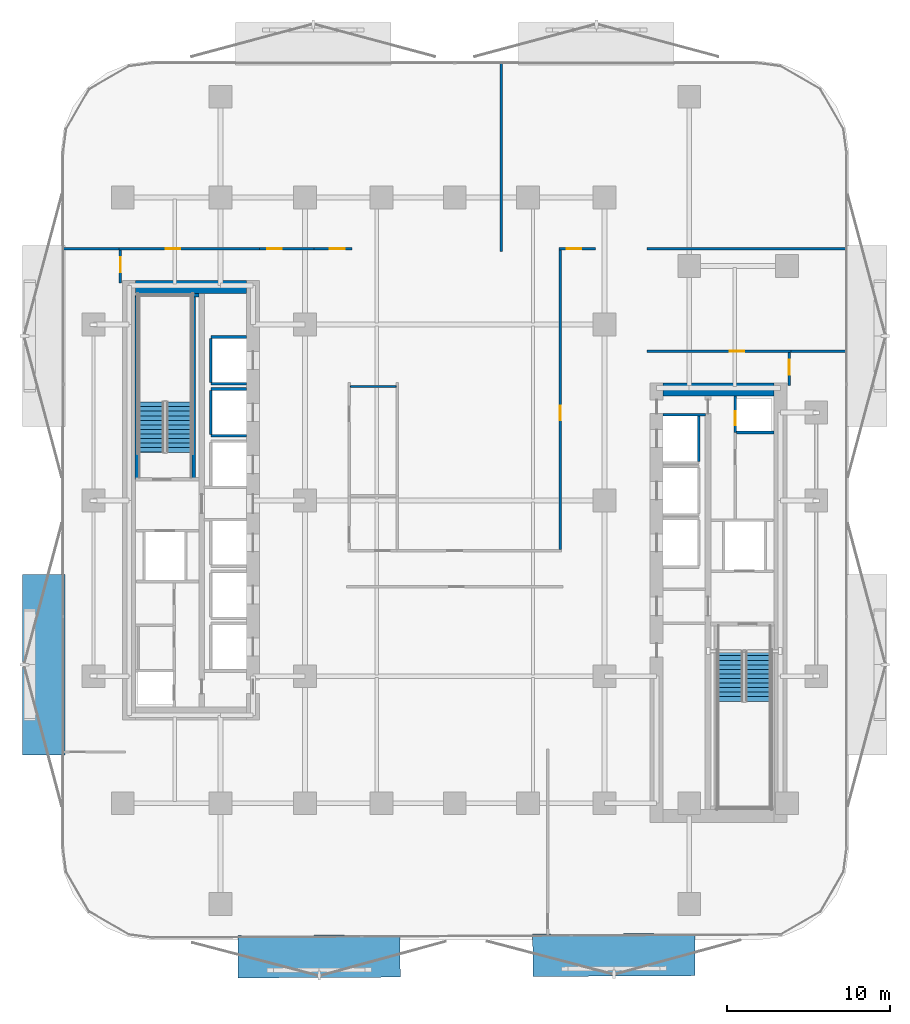
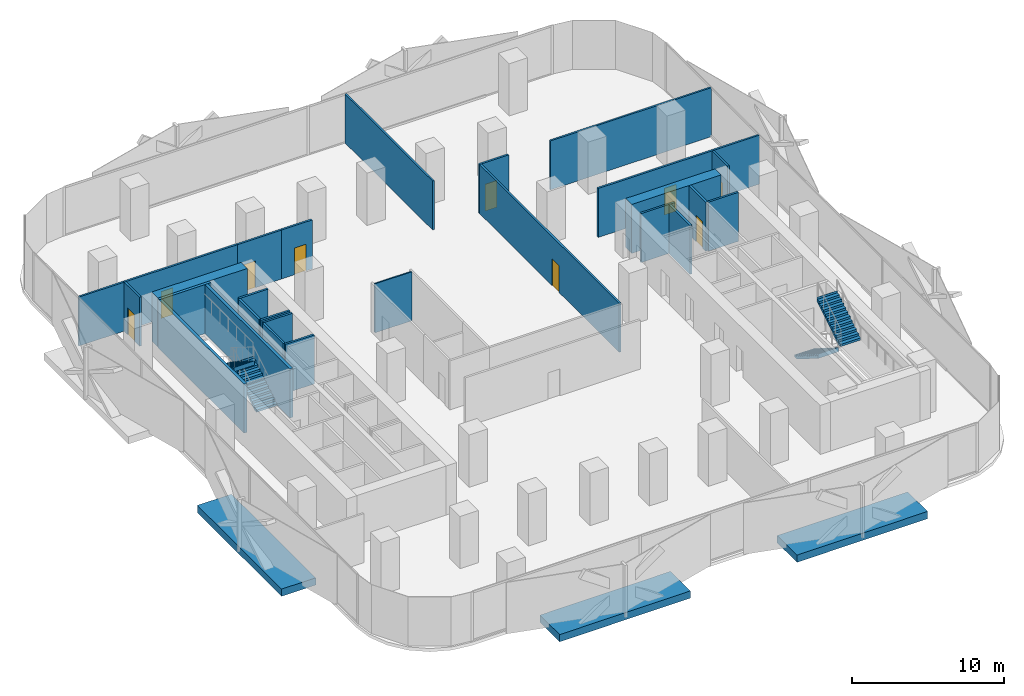
# One storey, part 5 of 15: 28 walls, 9 doors, 4 stair flights, 3 discrete accessories, 9 openings, 2 elements without a shape of their own.
"""IFC4 building model written with IfcOpenShell, lengths in metres."""

from ifc_helpers import new_model, si_unit, direction, frame, frame_2d, origin, origin_2d, place, context, subcontext, project, spatial, polyline, rectangle, outline, extrude, material, layer, layer_set, type_object, element, fill, aggregate, save


model = new_model("IFC4")

# Units and contexts
model_context = context("Model", 3, precision=1e-05, world=origin(), true_north=direction((0.0, 1.0)))
body_context = subcontext(model_context, "Body", "Model", "MODEL_VIEW")
ifc_project = project(units=[si_unit("LENGTHUNIT", "METRE"), si_unit("AREAUNIT", "SQUARE_METRE"), si_unit("VOLUMEUNIT", "CUBIC_METRE"), si_unit("PLANEANGLEUNIT", "RADIAN"), si_unit("MASSUNIT", "GRAM", prefix="KILO")], contexts=[model_context])

# Site, building, storey
site_placement = place(None, origin())
site = spatial("IfcSite", under=ifc_project, at=site_placement, CompositionType="ELEMENT")
building_placement = place(site_placement, origin())
building = spatial("IfcBuilding", under=site, at=building_placement, Name="Khairoan Windgate Tower", CompositionType="ELEMENT")
storey_placement = place(building_placement, frame((0.0, 0.0, 30.199951171875)))
storey = spatial("IfcBuildingStorey", under=building, at=storey_placement, Name="L07", CompositionType="ELEMENT", Elevation=30.199951171875)

# Walls
ifc_material_1 = material(Name="Moisture-Resistant Gypsum Partition", Category="gypsum")
ifc_layer_1 = layer(ifc_material_1, 0.10009765625, Name="Moisture-Resistant Gypsum Partition")
ifc_layer_set_1 = layer_set([ifc_layer_1], Name="Moisture-Resistant Gypsum Partition")
wall_type_1 = type_object("IfcWallType", Name="Bathroom Wet-Area Partition Wall", PredefinedType="PARTITIONING", material=ifc_layer_set_1)
wall_1_placement = place(storey_placement, frame((-6.409912109375, 7.0, 0.0), z_axis=(0.0, 0.0, 1.0), x_axis=(1.0, 0.0, 0.0)))
element("IfcWall", 1, at=wall_1_placement, inside=storey, type_object=wall_type_1, Name="L07 Wet Room Side Wall 032", PredefinedType="PARTITIONING", context=body_context, shape_type="SweptSolid", body=[
    extrude(rectangle(XDim=2.7998046875, YDim=0.10009765625, at=frame_2d((1.39990234375, 0.0))), origin(), (0.0, 0.0, 1.0), 3.93994140625),
])
ifc_material_2 = material(Name="Concrete C40/50", Category="concrete")
ifc_layer_2 = layer(ifc_material_2, 0.159912109375, Name="Concrete C40/50")
ifc_layer_set_2 = layer_set([ifc_layer_2], Name="Concrete C40/50")
wall_type_2 = type_object("IfcWallType", Name="Core and Hoistway Enclosure Wall", PredefinedType="STANDARD", material=ifc_layer_set_2)
for number, where, z_axis, x_axis, name in (
    (2, (-14.989990234375, 7.159912109375, 0.0), (0.0, 0.0, 1.0), (1.0, 0.0, 0.0), "L07 Lift PL1 Hoistway Divider S"),
    (3, (-14.989990234375, 10.0400390625, 0.0), (0.0, 0.0, 1.0), (1.0, 0.0, 0.0), "L07 Lift PL1 Hoistway Divider N"),
):
    element("IfcWall", number, at=place(storey_placement, frame(where, z_axis=z_axis, x_axis=x_axis)), inside=storey, type_object=wall_type_2, Name=name, PredefinedType="STANDARD", context=body_context, shape_type="SweptSolid", body=[
        extrude(rectangle(XDim=2.18994140625, YDim=0.159912109375, at=frame_2d((1.094970703125, 0.0))), origin(), (0.0, 0.0, 1.0), 3.93994140625),
    ])
wall_2_placement = place(storey_placement, frame((-14.989990234375, 7.25, 0.0), z_axis=(0.0, 0.0, 1.0), x_axis=(0.0, 1.0, 0.0)))
element("IfcWall", 4, at=wall_2_placement, inside=storey, type_object=wall_type_2, Name="L07 Lift PL1 Hoistway Back Wall", PredefinedType="STANDARD", context=body_context, shape_type="SweptSolid", body=[
    extrude(rectangle(XDim=2.699951171875, YDim=0.159912109375, at=frame_2d((1.35009765625, 0.0))), origin(), (0.0, 0.0, 1.0), 3.93994140625),
])
for number, where, z_axis, x_axis, name in (
    (5, (-14.989990234375, 3.9599609375, 0.0), (0.0, 0.0, 1.0), (1.0, 0.0, 0.0), "L07 Lift PL2 Hoistway Divider S"),
    (6, (-14.989990234375, 6.840087890625, 0.0), (0.0, 0.0, 1.0), (1.0, 0.0, 0.0), "L07 Lift PL2 Hoistway Divider N"),
):
    element("IfcWall", number, at=place(storey_placement, frame(where, z_axis=z_axis, x_axis=x_axis)), inside=storey, type_object=wall_type_2, Name=name, PredefinedType="STANDARD", context=body_context, shape_type="SweptSolid", body=[
        extrude(rectangle(XDim=2.18994140625, YDim=0.159912109375, at=frame_2d((1.094970703125, 0.0))), origin(), (0.0, 0.0, 1.0), 3.93994140625),
    ])
wall_3_placement = place(storey_placement, frame((-14.989990234375, 4.050048828125, 0.0), z_axis=(0.0, 0.0, 1.0), x_axis=(0.0, 1.0, 0.0)))
element("IfcWall", 7, at=wall_3_placement, inside=storey, type_object=wall_type_2, Name="L07 Lift PL2 Hoistway Back Wall", PredefinedType="STANDARD", context=body_context, shape_type="SweptSolid", body=[
    extrude(rectangle(XDim=2.699951171875, YDim=0.159912109375, at=frame_2d((1.35009765625, 0.0))), origin(), (0.0, 0.0, 1.0), 3.93994140625),
])
wall_4_placement = place(storey_placement, frame((14.989990234375, 2.39990234375, 0.0), z_axis=(0.0, 0.0, 1.0), x_axis=(0.0, 1.0, 0.0)))
element("IfcWall", 8, at=wall_4_placement, inside=storey, type_object=wall_type_2, Name="L07 Lift PL7 Hoistway Back Wall", PredefinedType="STANDARD", context=body_context, shape_type="SweptSolid", body=[
    extrude(rectangle(XDim=2.800048828125, YDim=0.159912109375, at=frame_2d((1.39990234375, 0.0))), origin(), (0.0, 0.0, 1.0), 3.93994140625),
])
wall_5_placement = place(storey_placement, frame((12.800048828125, 5.25, 0.0), z_axis=(0.0, 0.0, 1.0), x_axis=(1.0, 0.0, 0.0)))
element("IfcWall", 9, at=wall_5_placement, inside=storey, type_object=wall_type_2, Name="L07 Core Shaft Wall SW-ESV-L07", PredefinedType="STANDARD", context=body_context, shape_type="SweptSolid", body=[
    extrude(rectangle(XDim=2.599853515625, YDim=0.159912109375, at=frame_2d((1.2998046875, 0.0))), origin(), (0.0, 0.0, 1.0), 3.93994140625),
])
ifc_material_3 = material(Name="Acoustic Fire-Rated Gypsum Partition", Category="gypsum")
ifc_layer_3 = layer(ifc_material_3, 0.139892578125, Name="Acoustic Fire-Rated Gypsum Partition")
ifc_layer_set_3 = layer_set([ifc_layer_3], Name="Acoustic Fire-Rated Gypsum Partition")
wall_type_3 = type_object("IfcWallType", Name="Inter-Tenancy Compartment Wall", PredefinedType="PARTITIONING", material=ifc_layer_set_3)
for number, where, z_axis, x_axis, name in (
    (10, (-24.054931640625, 15.4599609375, 0.0), (0.0, 0.0, 1.0), (1.0, 0.0, 0.0), "L07 Interior Partition 022"),
    (11, (20.639892578125, 9.159912109375, 0.0), (0.0, 0.0, 1.0), (1.0, 0.0, 0.0), "L07 Interior Partition 024"),
):
    element("IfcWall", number, at=place(storey_placement, frame(where, z_axis=z_axis, x_axis=x_axis)), inside=storey, type_object=wall_type_3, Name=name, PredefinedType="PARTITIONING", context=body_context, shape_type="SweptSolid", body=[
        extrude(rectangle(XDim=3.4150390625, YDim=0.139892578125, at=frame_2d((1.70751953125, 0.0))), origin(), (0.0, 0.0, 1.0), 3.93994140625),
    ])
wall_6_placement = place(storey_placement, frame((11.81005859375, 15.4599609375, 0.0), z_axis=(0.0, 0.0, 1.0), x_axis=(1.0, 0.0, 0.0)))
element("IfcWall", 12, at=wall_6_placement, inside=storey, type_object=wall_type_3, Name="L07 Interior Partition 025", PredefinedType="PARTITIONING", context=body_context, shape_type="SweptSolid", body=[
    extrude(rectangle(XDim=12.244873046875, YDim=0.139892578125, at=frame_2d((6.12255859375, 0.0))), origin(), (0.0, 0.0, 1.0), 3.93994140625),
])
wall_7_placement = place(storey_placement, frame((2.85595703125, 15.280029296875, 0.0), z_axis=(0.0, 0.0, 1.0), x_axis=(0.0, 1.0, 0.0)))
element("IfcWall", 13, at=wall_7_placement, inside=storey, type_object=wall_type_3, Name="L07 Interior Partition 026", PredefinedType="PARTITIONING", context=body_context, shape_type="SweptSolid", body=[
    extrude(rectangle(XDim=11.574951171875, YDim=0.139892578125, at=frame_2d((5.78759765625, 0.0))), origin(), (0.0, 0.0, 1.0), 3.93994140625),
])

# Wall, opening, door
ifc_material_4 = material(Name="Concrete C40/50", Category="concrete")
ifc_layer_4 = layer(ifc_material_4, 0.159912109375, Name="Concrete C40/50")
ifc_layer_set_4 = layer_set([ifc_layer_4], Name="Concrete C40/50")
wall_type_4 = type_object("IfcWallType", Name="Plant and Refuge Compartment Wall", PredefinedType="PARTITIONING", material=ifc_layer_set_4)
wall_8_placement = place(storey_placement, frame((17.22998046875, 4.169921875, 0.0), z_axis=(0.0, 0.0, 1.0), x_axis=(0.0, 1.0, 0.0)))
wall_8 = element("IfcWall", 14, at=wall_8_placement, inside=storey, type_object=wall_type_4, Name="L07 Interior Partition 006", PredefinedType="PARTITIONING", context=body_context, shape_type="SweptSolid", body=[
    extrude(rectangle(XDim=2.22998046875, YDim=0.159912109375, at=frame_2d((1.114990234375, 0.0))), origin(), (0.0, 0.0, 1.0), 3.93994140625),
])
opening_1_placement = place(wall_8_placement, frame((0.4599609375, 0.0, 0.0)))
opening_1 = element("IfcOpeningElement", 15, at=opening_1_placement, cuts=wall_8, Name="Opening FD-SRV", PredefinedType="OPENING", context=body_context, shape_type="SweptSolid", body=[
    extrude(rectangle(XDim=0.85009765625, YDim=2.10009765625, at=frame_2d((0.425048828125, 1.050048828125))), frame((0.0, 0.08984375, 0.0), z_axis=(0.0, -1.0, 0.0), x_axis=(1.0, 0.0, 0.0)), (0.0, 0.0, 1.0), 0.179931640625),
])
ifc_material_5 = material(Name="Steel S355", Category="steel")
door_type_1 = type_object("IfcDoorType", Name="Core Service and Riser Fire Door FD-SRV 850x2100", OperationType="NOTDEFINED", PredefinedType="DOOR", material=ifc_material_5)
door_1_placement = place(opening_1_placement, origin())
door_1 = element("IfcDoor", 16, at=door_1_placement, inside=storey, type_object=door_type_1, Name="L07 L07-19-L07-20 Door", OperationType="SINGLE_SWING_RIGHT", OverallHeight=2.10009765625, OverallWidth=0.85009765625, PredefinedType="DOOR", context=body_context, shape_type="SweptSolid", body=[
    extrude(rectangle(XDim=0.85009765625, YDim=2.10009765625, at=frame_2d((0.425048828125, 1.050048828125))), frame((0.0, 0.02490234375, 0.0), z_axis=(0.0, -1.0, 0.0), x_axis=(1.0, 0.0, 0.0)), (0.0, 0.0, 1.0), 0.050048828125),
])
fill(opening_1, door_1)

# Wall
wall_9_placement = place(storey_placement, frame((17.31005859375, 4.169921875, 0.0), z_axis=(0.0, 0.0, 1.0), x_axis=(1.0, 0.0, 0.0)))
element("IfcWall", 17, at=wall_9_placement, inside=storey, type_object=wall_type_4, Name="L07 Interior Partition 008", PredefinedType="PARTITIONING", context=body_context, shape_type="SweptSolid", body=[
    extrude(rectangle(XDim=2.2900390625, YDim=0.159912109375, at=frame_2d((1.14501953125, 0.0))), origin(), (0.0, 0.0, 1.0), 3.93994140625),
])

# Wall, opening, door
ifc_material_6 = material(Name="Acoustic Fire-Rated Gypsum Partition", Category="gypsum")
ifc_layer_5 = layer(ifc_material_6, 0.14990234375, Name="Acoustic Fire-Rated Gypsum Partition")
ifc_layer_set_5 = layer_set([ifc_layer_5], Name="Acoustic Fire-Rated Gypsum Partition")
wall_type_5 = type_object("IfcWallType", Name="Rated Corridor Partition Wall", PredefinedType="PARTITIONING", material=ifc_layer_set_5)
wall_10_placement = place(storey_placement, frame((-11.989990234375, 15.4599609375, 0.0), z_axis=(0.0, 0.0, 1.0), x_axis=(1.0, 0.0, 0.0)))
wall_10 = element("IfcWall", 18, at=wall_10_placement, inside=storey, type_object=wall_type_5, Name="L07 Interior Partition 009", PredefinedType="PARTITIONING", context=body_context, shape_type="SweptSolid", body=[
    extrude(rectangle(XDim=3.35009765625, YDim=0.14990234375, at=frame_2d((1.675048828125, 0.0))), origin(), (0.0, 0.0, 1.0), 3.93994140625),
])
opening_2_placement = place(wall_10_placement, frame((0.4599609375, 0.0, 0.0)))
opening_2 = element("IfcOpeningElement", 19, at=opening_2_placement, cuts=wall_10, Name="Opening FD-ENT", PredefinedType="OPENING", context=body_context, shape_type="SweptSolid", body=[
    extrude(rectangle(XDim=0.89990234375, YDim=2.14990234375, at=frame_2d((0.449951171875, 1.074951171875))), frame((0.0, 0.0849609375, 0.0), z_axis=(0.0, -1.0, 0.0), x_axis=(1.0, 0.0, 0.0)), (0.0, 0.0, 1.0), 0.169921875),
])
ifc_material_7 = material(Name="Timber Fire-Rated Core", Category="wood")
door_type_2 = type_object("IfcDoorType", Name="Unit and Office Fire Entrance Door FD-ENT 900x2150", OperationType="NOTDEFINED", PredefinedType="DOOR", material=ifc_material_7)
door_2_placement = place(opening_2_placement, origin())
door_2 = element("IfcDoor", 20, at=door_2_placement, inside=storey, type_object=door_type_2, Name="L07 L07-28-L07-38 Door", OperationType="SINGLE_SWING_RIGHT", OverallHeight=2.14990234375, OverallWidth=0.89990234375, PredefinedType="DOOR", context=body_context, shape_type="SweptSolid", body=[
    extrude(rectangle(XDim=0.89990234375, YDim=2.14990234375, at=frame_2d((0.449951171875, 1.074951171875))), frame((0.0, 0.02490234375, 0.0), z_axis=(0.0, -1.0, 0.0), x_axis=(1.0, 0.0, 0.0)), (0.0, 0.0, 1.0), 0.050048828125),
])
fill(opening_2, door_2)

wall_11_placement = place(storey_placement, frame((-8.639892578125, 15.4599609375, 0.0), z_axis=(0.0, 0.0, 1.0), x_axis=(1.0, 0.0, 0.0)))
wall_11 = element("IfcWall", 21, at=wall_11_placement, inside=storey, type_object=wall_type_5, Name="L07 Interior Partition 013", PredefinedType="PARTITIONING", context=body_context, shape_type="SweptSolid", body=[
    extrude(rectangle(XDim=2.329833984375, YDim=0.14990234375, at=frame_2d((1.1650390625, 0.0))), origin(), (0.0, 0.0, 1.0), 3.93994140625),
])
opening_3_placement = place(wall_11_placement, frame((0.969970703125, 0.0, 0.0)))
opening_3 = element("IfcOpeningElement", 22, at=opening_3_placement, cuts=wall_11, Name="Opening FD-ENT", PredefinedType="OPENING", context=body_context, shape_type="SweptSolid", body=[
    extrude(rectangle(XDim=0.89990234375, YDim=2.14990234375, at=frame_2d((0.449951171875, 1.074951171875))), frame((0.0, 0.0849609375, 0.0), z_axis=(0.0, -1.0, 0.0), x_axis=(1.0, 0.0, 0.0)), (0.0, 0.0, 1.0), 0.169921875),
])
door_3_placement = place(opening_3_placement, origin())
door_3 = element("IfcDoor", 23, at=door_3_placement, inside=storey, type_object=door_type_2, Name="L07 L07-31-L07-38 Door", OperationType="SINGLE_SWING_RIGHT", OverallHeight=2.14990234375, OverallWidth=0.89990234375, PredefinedType="DOOR", context=body_context, shape_type="SweptSolid", body=[
    extrude(rectangle(XDim=0.89990234375, YDim=2.14990234375, at=frame_2d((0.449951171875, 1.074951171875))), frame((0.0, 0.02490234375, 0.0), z_axis=(0.0, -1.0, 0.0), x_axis=(1.0, 0.0, 0.0)), (0.0, 0.0, 1.0), 0.050048828125),
])
fill(opening_3, door_3)

wall_12_placement = place(storey_placement, frame((6.409912109375, 15.4599609375, 0.0), z_axis=(0.0, 0.0, 1.0), x_axis=(1.0, 0.0, 0.0)))
wall_12 = element("IfcWall", 24, at=wall_12_placement, inside=storey, type_object=wall_type_5, Name="L07 Interior Partition 016", PredefinedType="PARTITIONING", context=body_context, shape_type="SweptSolid", body=[
    extrude(rectangle(XDim=2.22998046875, YDim=0.14990234375, at=frame_2d((1.114990234375, 0.0))), origin(), (0.0, 0.0, 1.0), 3.93994140625),
])
opening_4_placement = place(wall_12_placement, frame((0.4599609375, 0.0, 0.0)))
opening_4 = element("IfcOpeningElement", 25, at=opening_4_placement, cuts=wall_12, Name="Opening FD-ENT", PredefinedType="OPENING", context=body_context, shape_type="SweptSolid", body=[
    extrude(rectangle(XDim=0.89990234375, YDim=2.14990234375, at=frame_2d((0.449951171875, 1.074951171875))), frame((0.0, 0.0849609375, 0.0), z_axis=(0.0, -1.0, 0.0), x_axis=(1.0, 0.0, 0.0)), (0.0, 0.0, 1.0), 0.169921875),
])
door_4_placement = place(opening_4_placement, origin())
door_4 = element("IfcDoor", 26, at=door_4_placement, inside=storey, type_object=door_type_2, Name="L07 L07-32-L07-39 Door", OperationType="SINGLE_SWING_LEFT", OverallHeight=2.14990234375, OverallWidth=0.89990234375, PredefinedType="DOOR", context=body_context, shape_type="SweptSolid", body=[
    extrude(rectangle(XDim=0.89990234375, YDim=2.14990234375, at=frame_2d((0.449951171875, 1.074951171875))), frame((0.0, 0.02490234375, 0.0), z_axis=(0.0, -1.0, 0.0), x_axis=(1.0, 0.0, 0.0)), (0.0, 0.0, 1.0), 0.050048828125),
])
fill(opening_4, door_4)

wall_13_placement = place(storey_placement, frame((6.485107421875, -3.02001953125, 0.0), z_axis=(0.0, 0.0, 1.0), x_axis=(0.0, 1.0, 0.0)))
wall_13 = element("IfcWall", 27, at=wall_13_placement, inside=storey, type_object=wall_type_5, Name="L07 Interior Partition 017", PredefinedType="PARTITIONING", context=body_context, shape_type="SweptSolid", body=[
    extrude(rectangle(XDim=18.405029296875, YDim=0.14990234375, at=frame_2d((9.20263671875, 0.0))), origin(), (0.0, 0.0, 1.0), 3.93994140625),
])
opening_5_placement = place(wall_13_placement, frame((7.943603515625, 0.0, 0.0)))
opening_5 = element("IfcOpeningElement", 28, at=opening_5_placement, cuts=wall_13, Name="Opening FD-ENT", PredefinedType="OPENING", context=body_context, shape_type="SweptSolid", body=[
    extrude(rectangle(XDim=0.89990234375, YDim=2.14990234375, at=frame_2d((0.449951171875, 1.074951171875))), frame((0.0, 0.0849609375, 0.0), z_axis=(0.0, -1.0, 0.0), x_axis=(1.0, 0.0, 0.0)), (0.0, 0.0, 1.0), 0.169921875),
])
door_5_placement = place(opening_5_placement, origin())
door_5 = element("IfcDoor", 29, at=door_5_placement, inside=storey, type_object=door_type_2, Name="L07 L07-32-L07-44 Door", OperationType="SINGLE_SWING_RIGHT", OverallHeight=2.14990234375, OverallWidth=0.89990234375, PredefinedType="DOOR", context=body_context, shape_type="SweptSolid", body=[
    extrude(rectangle(XDim=0.89990234375, YDim=2.14990234375, at=frame_2d((0.449951171875, 1.074951171875))), frame((0.0, 0.02490234375, 0.0), z_axis=(0.0, -1.0, 0.0), x_axis=(1.0, 0.0, 0.0)), (0.0, 0.0, 1.0), 0.050048828125),
])
fill(opening_5, door_5)

wall_14_placement = place(storey_placement, frame((-20.5400390625, 13.360107421875, 0.0), z_axis=(0.0, 0.0, 1.0), x_axis=(0.0, 1.0, 0.0)))
wall_14 = element("IfcWall", 30, at=wall_14_placement, inside=storey, type_object=wall_type_5, Name="L07 Interior Partition 018", PredefinedType="PARTITIONING", context=body_context, shape_type="SweptSolid", body=[
    extrude(rectangle(XDim=2.02490234375, YDim=0.14990234375, at=frame_2d((1.012451171875, 0.0))), origin(), (0.0, 0.0, 1.0), 3.93994140625),
])
opening_6_placement = place(wall_14_placement, frame((0.6650390625, 0.0, 0.0)))
opening_6 = element("IfcOpeningElement", 31, at=opening_6_placement, cuts=wall_14, Name="Opening FD-ENT", PredefinedType="OPENING", context=body_context, shape_type="SweptSolid", body=[
    extrude(rectangle(XDim=0.89990234375, YDim=2.14990234375, at=frame_2d((0.449951171875, 1.074951171875))), frame((0.0, 0.0849609375, 0.0), z_axis=(0.0, -1.0, 0.0), x_axis=(1.0, 0.0, 0.0)), (0.0, 0.0, 1.0), 0.169921875),
])
door_6_placement = place(opening_6_placement, origin())
door_6 = element("IfcDoor", 32, at=door_6_placement, inside=storey, type_object=door_type_2, Name="L07 L07-33-L07-35 Door", OperationType="SINGLE_SWING_LEFT", OverallHeight=2.14990234375, OverallWidth=0.89990234375, PredefinedType="DOOR", context=body_context, shape_type="SweptSolid", body=[
    extrude(rectangle(XDim=0.89990234375, YDim=2.14990234375, at=frame_2d((0.449951171875, 1.074951171875))), frame((0.0, 0.02490234375, 0.0), z_axis=(0.0, -1.0, 0.0), x_axis=(1.0, 0.0, 0.0)), (0.0, 0.0, 1.0), 0.050048828125),
])
fill(opening_6, door_6)

wall_15_placement = place(storey_placement, frame((-20.639892578125, 15.4599609375, 0.0), z_axis=(0.0, 0.0, 1.0), x_axis=(1.0, 0.0, 0.0)))
wall_15 = element("IfcWall", 33, at=wall_15_placement, inside=storey, type_object=wall_type_5, Name="L07 Interior Partition 019", PredefinedType="PARTITIONING", context=body_context, shape_type="SweptSolid", body=[
    extrude(rectangle(XDim=8.64990234375, YDim=0.14990234375, at=frame_2d((4.324951171875, 0.0))), origin(), (0.0, 0.0, 1.0), 3.93994140625),
])
opening_7_placement = place(wall_15_placement, frame((2.87060546875, 0.0, 0.0)))
opening_7 = element("IfcOpeningElement", 34, at=opening_7_placement, cuts=wall_15, Name="Opening FD-ENT", PredefinedType="OPENING", context=body_context, shape_type="SweptSolid", body=[
    extrude(rectangle(XDim=0.89990234375, YDim=2.14990234375, at=frame_2d((0.449951171875, 1.074951171875))), frame((0.0, 0.0849609375, 0.0), z_axis=(0.0, -1.0, 0.0), x_axis=(1.0, 0.0, 0.0)), (0.0, 0.0, 1.0), 0.169921875),
])
door_7_placement = place(opening_7_placement, origin())
door_7 = element("IfcDoor", 35, at=door_7_placement, inside=storey, type_object=door_type_2, Name="L07 L07-33-L07-38 Door", OperationType="SINGLE_SWING_RIGHT", OverallHeight=2.14990234375, OverallWidth=0.89990234375, PredefinedType="DOOR", context=body_context, shape_type="SweptSolid", body=[
    extrude(rectangle(XDim=0.89990234375, YDim=2.14990234375, at=frame_2d((0.449951171875, 1.074951171875))), frame((0.0, 0.02490234375, 0.0), z_axis=(0.0, -1.0, 0.0), x_axis=(1.0, 0.0, 0.0)), (0.0, 0.0, 1.0), 0.050048828125),
])
fill(opening_7, door_7)

wall_16_placement = place(storey_placement, frame((20.5400390625, 7.06005859375, 0.0), z_axis=(0.0, 0.0, 1.0), x_axis=(0.0, 1.0, 0.0)))
wall_16 = element("IfcWall", 36, at=wall_16_placement, inside=storey, type_object=wall_type_5, Name="L07 Interior Partition 020", PredefinedType="PARTITIONING", context=body_context, shape_type="SweptSolid", body=[
    extrude(rectangle(XDim=2.02490234375, YDim=0.14990234375, at=frame_2d((1.012451171875, 0.0))), origin(), (0.0, 0.0, 1.0), 3.93994140625),
])
opening_8_placement = place(wall_16_placement, frame((0.6650390625, 0.0, 0.0)))
opening_8 = element("IfcOpeningElement", 37, at=opening_8_placement, cuts=wall_16, Name="Opening FD-ENT", PredefinedType="OPENING", context=body_context, shape_type="SweptSolid", body=[
    extrude(rectangle(XDim=0.89990234375, YDim=2.14990234375, at=frame_2d((0.449951171875, 1.074951171875))), frame((0.0, 0.0849609375, 0.0), z_axis=(0.0, -1.0, 0.0), x_axis=(1.0, 0.0, 0.0)), (0.0, 0.0, 1.0), 0.169921875),
])
door_8_placement = place(opening_8_placement, origin())
door_8 = element("IfcDoor", 38, at=door_8_placement, inside=storey, type_object=door_type_2, Name="L07 L07-34-L07-36 Door", OperationType="SINGLE_SWING_LEFT", OverallHeight=2.14990234375, OverallWidth=0.89990234375, PredefinedType="DOOR", context=body_context, shape_type="SweptSolid", body=[
    extrude(rectangle(XDim=0.89990234375, YDim=2.14990234375, at=frame_2d((0.449951171875, 1.074951171875))), frame((0.0, 0.02490234375, 0.0), z_axis=(0.0, -1.0, 0.0), x_axis=(1.0, 0.0, 0.0)), (0.0, 0.0, 1.0), 0.050048828125),
])
fill(opening_8, door_8)

wall_17_placement = place(storey_placement, frame((11.81005859375, 9.159912109375, 0.0), z_axis=(0.0, 0.0, 1.0), x_axis=(1.0, 0.0, 0.0)))
wall_17 = element("IfcWall", 39, at=wall_17_placement, inside=storey, type_object=wall_type_5, Name="L07 Interior Partition 021", PredefinedType="PARTITIONING", context=body_context, shape_type="SweptSolid", body=[
    extrude(rectangle(XDim=8.829833984375, YDim=0.14990234375, at=frame_2d((4.4150390625, 0.0))), origin(), (0.0, 0.0, 1.0), 3.93994140625),
])
opening_9_placement = place(wall_17_placement, frame((5.066650390625, 0.0, 0.0)))
opening_9 = element("IfcOpeningElement", 40, at=opening_9_placement, cuts=wall_17, Name="Opening FD-ENT", PredefinedType="OPENING", context=body_context, shape_type="SweptSolid", body=[
    extrude(rectangle(XDim=0.89990234375, YDim=2.14990234375, at=frame_2d((0.449951171875, 1.074951171875))), frame((0.0, 0.0849609375, 0.0), z_axis=(0.0, -1.0, 0.0), x_axis=(1.0, 0.0, 0.0)), (0.0, 0.0, 1.0), 0.169921875),
])
door_9_placement = place(opening_9_placement, origin())
door_9 = element("IfcDoor", 41, at=door_9_placement, inside=storey, type_object=door_type_2, Name="L07 L07-34-L07-37 Door", OperationType="SINGLE_SWING_RIGHT", OverallHeight=2.14990234375, OverallWidth=0.89990234375, PredefinedType="DOOR", context=body_context, shape_type="SweptSolid", body=[
    extrude(rectangle(XDim=0.89990234375, YDim=2.14990234375, at=frame_2d((0.449951171875, 1.074951171875))), frame((0.0, 0.02490234375, 0.0), z_axis=(0.0, -1.0, 0.0), x_axis=(1.0, 0.0, 0.0)), (0.0, 0.0, 1.0), 0.050048828125),
])
fill(opening_9, door_9)

# Walls
ifc_material_8 = material(Name="Concrete C70/85", Category="concrete")
ifc_layer_6 = layer(ifc_material_8, 0.800048828125, Name="Concrete C70/85")
ifc_layer_set_6 = layer_set([ifc_layer_6], Name="Concrete C70/85")
wall_type_6 = type_object("IfcWallType", Name="Shear Wall CW-E1 800mm", PredefinedType="SHEAR", material=ifc_layer_set_6)
wall_18_placement = place(storey_placement, frame((12.800048828125, 6.800048828125, 0.0), z_axis=(0.0, 0.0, 1.0), x_axis=(1.0, 0.0, 0.0)))
element("IfcWall", 42, at=wall_18_placement, inside=storey, type_object=wall_type_6, Name="E Core North Shear Wall L07", PredefinedType="SHEAR", context=body_context, shape_type="SweptSolid", body=[
    extrude(rectangle(XDim=6.800048828125, YDim=0.800048828125, at=frame_2d((3.39990234375, 0.0))), origin(), (0.0, 0.0, 1.0), 3.93994140625),
])
ifc_material_9 = material(Name="Concrete C70/85", Category="concrete")
ifc_layer_7 = layer(ifc_material_9, 0.800048828125, Name="Concrete C70/85")
ifc_layer_set_7 = layer_set([ifc_layer_7], Name="Concrete C70/85")
wall_type_7 = type_object("IfcWallType", Name="Shear Wall CW-W1 800mm", PredefinedType="SHEAR", material=ifc_layer_set_7)
wall_19_placement = place(storey_placement, frame((-19.60009765625, 13.10009765625, 0.0), z_axis=(0.0, 0.0, 1.0), x_axis=(1.0, 0.0, 0.0)))
element("IfcWall", 43, at=wall_19_placement, inside=storey, type_object=wall_type_7, Name="W Core North Shear Wall L07", PredefinedType="SHEAR", context=body_context, shape_type="SweptSolid", body=[
    extrude(rectangle(XDim=6.800048828125, YDim=0.800048828125, at=frame_2d((3.39990234375, 0.0))), origin(), (0.0, 0.0, 1.0), 3.93994140625),
])
ifc_material_10 = material(Name="Concrete C50/60", Category="concrete")
ifc_layer_8 = layer(ifc_material_10, 0.219970703125, Name="Concrete C50/60")
ifc_layer_set_8 = layer_set([ifc_layer_8], Name="Concrete C50/60")
wall_type_8 = type_object("IfcWallType", Name="Shear Wall SW-ST 220mm", PredefinedType="SHEAR", material=ifc_layer_set_8)
for number, where, z_axis, x_axis, name in (
    (44, (-16.0400390625, 1.2900390625, 0.0), (0.0, 0.0, 1.0), (0.0, 1.0, 0.0), "L07 Stair ST2 East Bearing Wall"),
    (45, (-19.530029296875, 1.2900390625, 0.0), (0.0, 0.0, 1.0), (0.0, 1.0, 0.0), "L07 Stair ST2 West Bearing Wall"),
):
    element("IfcWall", number, at=place(storey_placement, frame(where, z_axis=z_axis, x_axis=x_axis)), inside=storey, type_object=wall_type_8, Name=name, PredefinedType="SHEAR", context=body_context, shape_type="SweptSolid", body=[
        extrude(rectangle(XDim=11.300048828125, YDim=0.219970703125, at=frame_2d((5.64990234375, 0.0))), origin(), (0.0, 0.0, 1.0), 3.93994140625),
    ])
wall_20_placement = place(storey_placement, frame((-19.6201171875, 12.590087890625, 0.0), z_axis=(0.0, 0.0, 1.0), x_axis=(1.0, 0.0, 0.0)))
element("IfcWall", 46, at=wall_20_placement, inside=storey, type_object=wall_type_8, Name="L07 Stair ST2 North Bearing Wall", PredefinedType="SHEAR", context=body_context, shape_type="SweptSolid", body=[
    extrude(rectangle(XDim=3.9150390625, YDim=0.219970703125, at=frame_2d((1.95751953125, 0.0))), origin(), (0.0, 0.0, 1.0), 3.93994140625),
])

# Stair, stair flights
ifc_material_11 = material(Name="Concrete C40/50", Category="concrete")
stair_type = type_object("IfcStairType", Name="Tower Core Dog-Leg Stair ST-T1 1560mm", PredefinedType="HALF_TURN_STAIR", material=ifc_material_11)
stair_1_placement = place(storey_placement, origin())
stair_1 = element("IfcStair", 47, at=stair_1_placement, inside=storey, type_object=stair_type, Name="L07 Stair ST1", PredefinedType="HALF_TURN_STAIR")
ifc_material_12 = material(Name="Concrete C40/50", Category="concrete")
ifc_layer_9 = layer(ifc_material_12, 0.14990234375, Name="Concrete C40/50")
ifc_layer_set_9 = layer_set([ifc_layer_9], Name="Concrete C40/50")
stair_flight_type = type_object("IfcStairFlightType", Name="Tower Core Stair Flight STF-1560", PredefinedType="STRAIGHT", material=ifc_layer_set_9)
stair_flight_1_placement = place(storey_placement, frame((16.929931640625, -9.260009765625, 0.0), z_axis=(0.0, 0.0, 1.0), x_axis=(0.0, -1.0, 0.0)))
stair_flight_1 = element("IfcStairFlight", 48, at=stair_flight_1_placement, type_object=stair_flight_type, Name="ST1 flight 1", NumberOfRisers=12, NumberOfTreads=11, PredefinedType="STRAIGHT", RiserHeight=0.175, TreadLength=0.28, context=body_context, shape_type="SweptSolid", body=[
    extrude(outline(polyline([(-0.00390625, 0.0), (-0.00390625, 0.175048828125), (0.0, 0.175048828125), (0.280029296875, 0.175048828125), (0.280029296875, 0.35009765625), (0.56005859375, 0.35009765625), (0.56005859375, 0.52490234375), (0.840087890625, 0.52490234375), (0.840087890625, 0.699951171875), (1.1201171875, 0.699951171875), (1.1201171875, 0.875), (1.39990234375, 0.875), (1.39990234375, 1.050048828125), (1.679931640625, 1.050048828125), (1.679931640625, 1.22509765625), (1.9599609375, 1.22509765625), (1.9599609375, 1.39990234375), (2.239990234375, 1.39990234375), (2.239990234375, 1.574951171875), (2.52001953125, 1.574951171875), (2.52001953125, 1.75), (2.800048828125, 1.75), (2.800048828125, 1.925048828125), (3.080078125, 1.925048828125), (3.080078125, 2.10009765625), (3.083984375, 2.10009765625), (3.083984375, 1.748291015625), (0.28271484375, 0.0), (-0.00390625, 0.0)])), frame((0.0, 0.780029296875, 0.0), z_axis=(0.0, -1.0, 0.0), x_axis=(1.0, 0.0, 0.0)), (0.0, 0.0, 1.0), 1.56005859375),
])
stair_flight_2_placement = place(storey_placement, frame((18.639892578125, -12.340087890625, 2.10009765625), z_axis=(0.0, 0.0, 1.0), x_axis=(0.0, 1.0, 0.0)))
stair_flight_2 = element("IfcStairFlight", 49, at=stair_flight_2_placement, type_object=stair_flight_type, Name="ST1 flight 2", NumberOfRisers=12, NumberOfTreads=11, PredefinedType="STRAIGHT", RiserHeight=0.175, TreadLength=0.28, context=body_context, shape_type="SweptSolid", body=[
    extrude(outline(polyline([(-0.00390625, 0.0), (-0.00390625, 0.175048828125), (0.0, 0.175048828125), (0.280029296875, 0.175048828125), (0.280029296875, 0.35009765625), (0.56005859375, 0.35009765625), (0.56005859375, 0.52490234375), (0.840087890625, 0.52490234375), (0.840087890625, 0.699951171875), (1.1201171875, 0.699951171875), (1.1201171875, 0.875), (1.39990234375, 0.875), (1.39990234375, 1.050048828125), (1.679931640625, 1.050048828125), (1.679931640625, 1.22509765625), (1.9599609375, 1.22509765625), (1.9599609375, 1.39990234375), (2.239990234375, 1.39990234375), (2.239990234375, 1.574951171875), (2.52001953125, 1.574951171875), (2.52001953125, 1.75), (2.800048828125, 1.75), (2.800048828125, 1.925048828125), (3.080078125, 1.925048828125), (3.080078125, 2.10009765625), (3.083984375, 2.10009765625), (3.083984375, 1.748291015625), (0.28271484375, 0.0), (-0.00390625, 0.0)])), frame((0.0, 0.780029296875, 0.0), z_axis=(0.0, -1.0, 0.0), x_axis=(1.0, 0.0, 0.0)), (0.0, 0.0, 1.0), 1.56005859375),
])
aggregate(stair_1, [stair_flight_1, stair_flight_2])

stair_2_placement = place(storey_placement, origin())
stair_2 = element("IfcStair", 50, at=stair_2_placement, inside=storey, type_object=stair_type, Name="L07 Stair ST2", PredefinedType="HALF_TURN_STAIR")
stair_flight_3_placement = place(storey_placement, frame((-16.929931640625, 2.9599609375, 0.0), z_axis=(0.0, 0.0, 1.0), x_axis=(0.0, 1.0, 0.0)))
stair_flight_3 = element("IfcStairFlight", 51, at=stair_flight_3_placement, type_object=stair_flight_type, Name="ST2 flight 1", NumberOfRisers=12, NumberOfTreads=11, PredefinedType="STRAIGHT", RiserHeight=0.175, TreadLength=0.28, context=body_context, shape_type="SweptSolid", body=[
    extrude(outline(polyline([(-0.00390625, 0.0), (-0.00390625, 0.175048828125), (0.0, 0.175048828125), (0.280029296875, 0.175048828125), (0.280029296875, 0.35009765625), (0.56005859375, 0.35009765625), (0.56005859375, 0.52490234375), (0.840087890625, 0.52490234375), (0.840087890625, 0.699951171875), (1.1201171875, 0.699951171875), (1.1201171875, 0.875), (1.39990234375, 0.875), (1.39990234375, 1.050048828125), (1.679931640625, 1.050048828125), (1.679931640625, 1.22509765625), (1.9599609375, 1.22509765625), (1.9599609375, 1.39990234375), (2.239990234375, 1.39990234375), (2.239990234375, 1.574951171875), (2.52001953125, 1.574951171875), (2.52001953125, 1.75), (2.800048828125, 1.75), (2.800048828125, 1.925048828125), (3.080078125, 1.925048828125), (3.080078125, 2.10009765625), (3.083984375, 2.10009765625), (3.083984375, 1.748291015625), (0.28271484375, 0.0), (-0.00390625, 0.0)])), frame((0.0, 0.780029296875, 0.0), z_axis=(0.0, -1.0, 0.0), x_axis=(1.0, 0.0, 0.0)), (0.0, 0.0, 1.0), 1.56005859375),
])
stair_flight_4_placement = place(storey_placement, frame((-18.639892578125, 6.0400390625, 2.10009765625), z_axis=(0.0, 0.0, 1.0), x_axis=(0.0, -1.0, 0.0)))
stair_flight_4 = element("IfcStairFlight", 52, at=stair_flight_4_placement, type_object=stair_flight_type, Name="ST2 flight 2", NumberOfRisers=12, NumberOfTreads=11, PredefinedType="STRAIGHT", RiserHeight=0.175, TreadLength=0.28, context=body_context, shape_type="SweptSolid", body=[
    extrude(outline(polyline([(-0.00390625, 0.0), (-0.00390625, 0.175048828125), (0.0, 0.175048828125), (0.280029296875, 0.175048828125), (0.280029296875, 0.35009765625), (0.56005859375, 0.35009765625), (0.56005859375, 0.52490234375), (0.840087890625, 0.52490234375), (0.840087890625, 0.699951171875), (1.1201171875, 0.699951171875), (1.1201171875, 0.875), (1.39990234375, 0.875), (1.39990234375, 1.050048828125), (1.679931640625, 1.050048828125), (1.679931640625, 1.22509765625), (1.9599609375, 1.22509765625), (1.9599609375, 1.39990234375), (2.239990234375, 1.39990234375), (2.239990234375, 1.574951171875), (2.52001953125, 1.574951171875), (2.52001953125, 1.75), (2.800048828125, 1.75), (2.800048828125, 1.925048828125), (3.080078125, 1.925048828125), (3.080078125, 2.10009765625), (3.083984375, 2.10009765625), (3.083984375, 1.748291015625), (0.28271484375, 0.0), (-0.00390625, 0.0)])), frame((0.0, 0.780029296875, 0.0), z_axis=(0.0, -1.0, 0.0), x_axis=(1.0, 0.0, 0.0)), (0.0, 0.0, 1.0), 1.56005859375),
])
aggregate(stair_2, [stair_flight_3, stair_flight_4])

# Discrete accessories
ifc_material_13 = material(Name="Steel S355", Category="steel")
discrete_accessory_type = type_object("IfcDiscreteAccessoryType", Name="Solar Screen Outrigger Slab Bracket SSB-1", PredefinedType="BRACKET", material=ifc_material_13)
for number, where, z_axis, x_axis, name in (
    (53, (9.767822265625, -27.922607421875, -0.419921875), (0.0, 0.0, 1.0), (-0.999988059021, -0.004886902454, 0.0), "L07 Solar Screen Outrigger Bracket 9"),
    (54, (-8.333984375, -28.01025390625, -0.419921875), (0.0, 0.0, 1.0), (-0.999988059021, -0.004886902454, 0.0), "L07 Solar Screen Outrigger Bracket 10"),
):
    element("IfcDiscreteAccessory", number, at=place(storey_placement, frame(where, z_axis=z_axis, x_axis=x_axis)), inside=storey, type_object=discrete_accessory_type, Name=name, PredefinedType="BRACKET", context=body_context, shape_type="SweptSolid", body=[
        extrude(rectangle(XDim=9.9560546875, YDim=2.60009765625, at=origin_2d()), origin(), (0.0, 0.0, 1.0), 0.580078125),
    ])
discrete_accessory_placement = place(storey_placement, frame((-25.260009765625, -10.095458984375, -0.419921875), z_axis=(0.0, 0.0, 1.0), x_axis=(0.0, 1.0, 0.0)))
element("IfcDiscreteAccessory", 55, at=discrete_accessory_placement, inside=storey, type_object=discrete_accessory_type, Name="L07 Solar Screen Outrigger Bracket 11", PredefinedType="BRACKET", context=body_context, shape_type="SweptSolid", body=[
    extrude(rectangle(XDim=11.10498046875, YDim=2.60009765625, at=origin_2d()), origin(), (0.0, 0.0, 1.0), 0.580078125),
])

save(model, "model.ifc")
